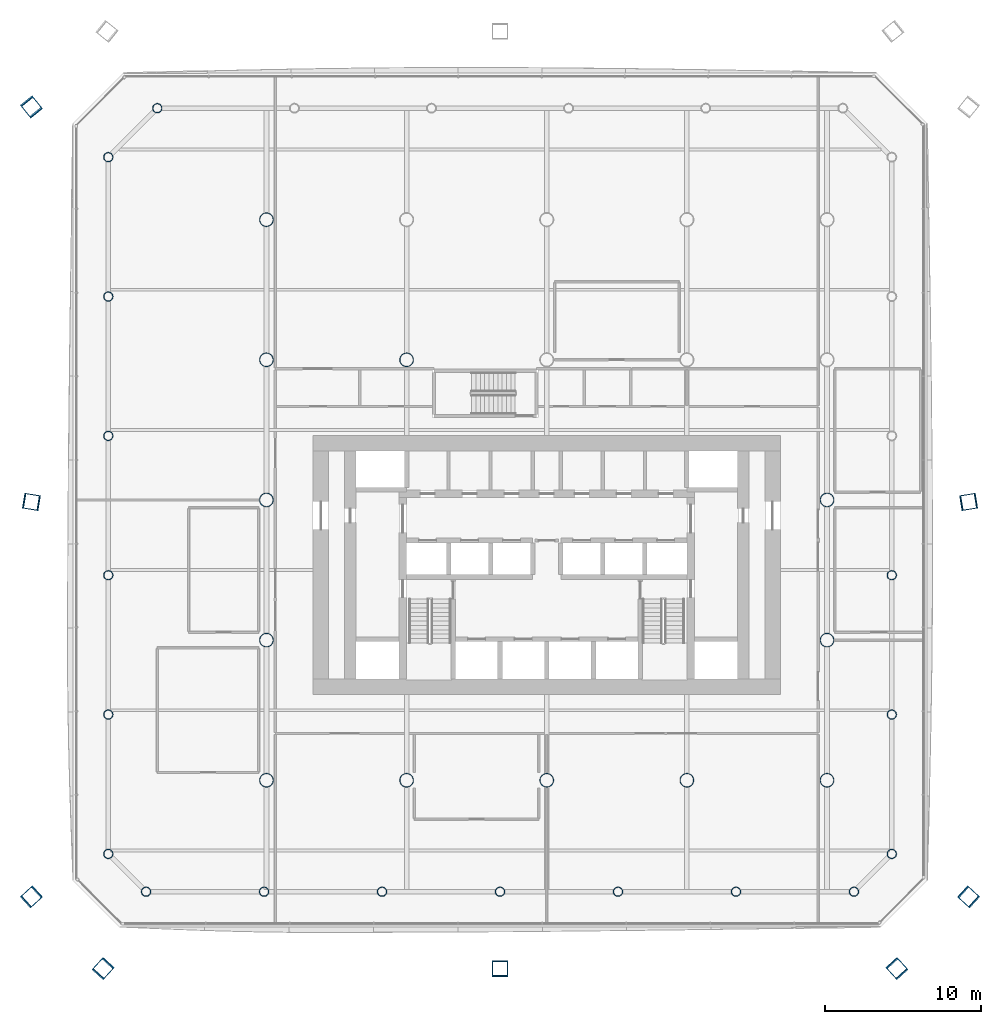
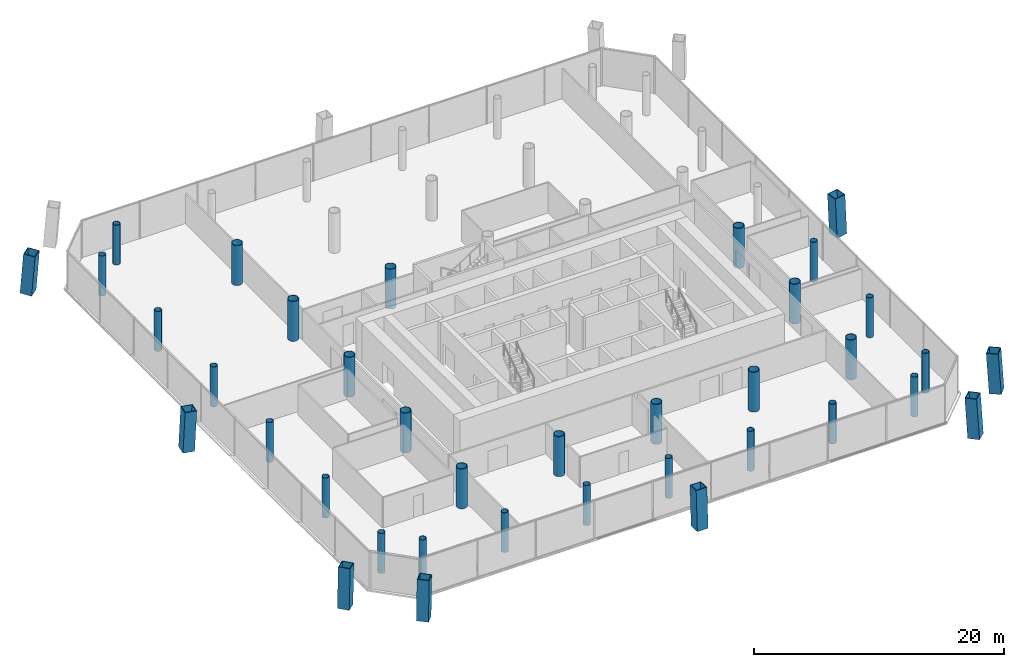
# One storey, part 1 of 22: 37 columns.
"""IFC4 building model written with IfcOpenShell, lengths in metres."""

from ifc_helpers import new_model, si_unit, direction, frame, origin, origin_2d, place, context, subcontext, project, spatial, hollow_rectangle, hollow_circle, extrude, material, material_profile, profile_set, type_object, element, save


model = new_model("IFC4")

# Units and contexts
model_context = context("Model", 3, precision=1e-05, world=origin(), true_north=direction((0.0, 1.0)))
body_context = subcontext(model_context, "Body", "Model", "MODEL_VIEW")
ifc_project = project(units=[si_unit("LENGTHUNIT", "METRE"), si_unit("AREAUNIT", "SQUARE_METRE"), si_unit("VOLUMEUNIT", "CUBIC_METRE"), si_unit("PLANEANGLEUNIT", "RADIAN"), si_unit("MASSUNIT", "GRAM", prefix="KILO")], contexts=[model_context])

# Site, building, storey
site_placement = place(None, origin())
site = spatial("IfcSite", under=ifc_project, at=site_placement, CompositionType="ELEMENT")
building_placement = place(site_placement, origin())
building = spatial("IfcBuilding", under=site, at=building_placement, Name="Tskaro Facet Tower", CompositionType="ELEMENT")
storey_placement = place(building_placement, frame((0.0, 0.0, 26.39990234375)))
storey = spatial("IfcBuildingStorey", under=building, at=storey_placement, Name="L05", CompositionType="ELEMENT", Elevation=26.39990234375)

# Columns
ifc_material_1 = material(Name="Steel S460M", Category="steel")
ifc_material_profile_1 = material_profile(ifc_material_1, hollow_rectangle(XDim=1.0, YDim=1.0, WallThickness=0.06005859375, at=origin_2d()), Name="BOX 1000x1000x60")
ifc_profile_set_1 = profile_set([ifc_material_profile_1], Name="Steel S460M")
column_type_1 = type_object("IfcColumnType", Name="BOX 1000x1000x60 mega column", PredefinedType="COLUMN", material=ifc_profile_set_1)
column_1_placement = place(storey_placement, frame((-28.513916015625, -30.1201171875, 0.0), z_axis=(0.04273072703, 0.046853867357, 0.99798737471), x_axis=(-0.738869281565, 0.673848784787, 0.0)))
element("IfcColumn", 1, at=column_1_placement, inside=storey, type_object=column_type_1, Name="BOX 1000x1000x60 MC01/1", PredefinedType="COLUMN", context=body_context, shape_type="SweptSolid", body=[
    extrude(hollow_rectangle(XDim=1.0, YDim=1.0, WallThickness=0.06005859375, at=origin_2d()), origin(), (0.0, 0.0, 1.0), 3.907958984375),
])
column_2_placement = place(storey_placement, frame((-3.0, -30.1201171875, 0.0), z_axis=(0.0, 0.046896701615, 0.998899744408), x_axis=(-1.0, 0.0, 0.0)))
element("IfcColumn", 2, at=column_2_placement, inside=storey, type_object=column_type_1, Name="BOX 1000x1000x60 MC02/1", PredefinedType="COLUMN", context=body_context, shape_type="SweptSolid", body=[
    extrude(hollow_rectangle(XDim=1.0, YDim=1.0, WallThickness=0.06005859375, at=origin_2d()), origin(), (0.0, 0.0, 1.0), 3.904541015625),
])
for number, where, z_axis, x_axis, name in (
    (3, (22.513916015625, -30.1201171875, 0.0), (-0.04273072703, 0.046853867357, 0.99798737471), (-0.738869281565, -0.673848784787, 0.0), "BOX 1000x1000x60 MC03/1"),
    (4, (27.1201171875, -25.513916015625, 0.0), (-0.046853867357, 0.04273072703, 0.99798737471), (-0.673848784787, -0.738869281565, 0.0), "BOX 1000x1000x60 MC04/1"),
):
    element("IfcColumn", number, at=place(storey_placement, frame(where, z_axis=z_axis, x_axis=x_axis)), inside=storey, type_object=column_type_1, Name=name, PredefinedType="COLUMN", context=body_context, shape_type="SweptSolid", body=[
        extrude(hollow_rectangle(XDim=1.0, YDim=1.0, WallThickness=0.06005859375, at=origin_2d()), origin(), (0.0, 0.0, 1.0), 3.907958984375),
    ])
column_3_placement = place(storey_placement, frame((27.1201171875, -0.1201171875, 0.0), z_axis=(-0.046895337111, -0.00762830817, 0.998870680455), x_axis=(0.160556339519, -0.98702667737, 0.0)))
element("IfcColumn", 5, at=column_3_placement, inside=storey, type_object=column_type_1, Name="BOX 1000x1000x60 MC05/1", PredefinedType="COLUMN", context=body_context, shape_type="SweptSolid", body=[
    extrude(hollow_rectangle(XDim=1.0, YDim=1.0, WallThickness=0.06005859375, at=origin_2d()), origin(), (0.0, 0.0, 1.0), 3.904541015625),
])
column_4_placement = place(storey_placement, frame((-33.1201171875, 25.27490234375, 0.0), z_axis=(0.046817777742, -0.057991620696, 0.997218665898), x_axis=(0.778082876381, 0.628161633246, 0.0)))
element("IfcColumn", 6, at=column_4_placement, inside=storey, type_object=column_type_1, Name="BOX 1000x1000x60 MC10/1", PredefinedType="COLUMN", context=body_context, shape_type="SweptSolid", body=[
    extrude(hollow_rectangle(XDim=1.0, YDim=1.0, WallThickness=0.06005859375, at=origin_2d()), origin(), (0.0, 0.0, 1.0), 3.9111328125),
])
column_5_placement = place(storey_placement, frame((-33.1201171875, -0.1201171875, 0.0), z_axis=(0.046895337111, -0.00762830817, 0.998870680455), x_axis=(0.160556339519, 0.98702667737, 0.0)))
element("IfcColumn", 7, at=column_5_placement, inside=storey, type_object=column_type_1, Name="BOX 1000x1000x60 MC11/1", PredefinedType="COLUMN", context=body_context, shape_type="SweptSolid", body=[
    extrude(hollow_rectangle(XDim=1.0, YDim=1.0, WallThickness=0.06005859375, at=origin_2d()), origin(), (0.0, 0.0, 1.0), 3.904541015625),
])
column_6_placement = place(storey_placement, frame((-33.1201171875, -25.513916015625, 0.0), z_axis=(0.046853867357, 0.04273072703, 0.99798737471), x_axis=(-0.673848784787, 0.738869281565, 0.0)))
element("IfcColumn", 8, at=column_6_placement, inside=storey, type_object=column_type_1, Name="BOX 1000x1000x60 MC12/1", PredefinedType="COLUMN", context=body_context, shape_type="SweptSolid", body=[
    extrude(hollow_rectangle(XDim=1.0, YDim=1.0, WallThickness=0.06005859375, at=origin_2d()), origin(), (0.0, 0.0, 1.0), 3.907958984375),
])
ifc_material_2 = material(Name="Steel S355J2H", Category="steel")
ifc_material_profile_2 = material_profile(ifc_material_2, hollow_circle(Radius=0.304931640625, WallThickness=0.030029296875, at=origin_2d()), Name="CHS 610x30")
ifc_profile_set_2 = profile_set([ifc_material_profile_2], Name="Steel S355J2H")
column_type_2 = type_object("IfcColumnType", Name="CHS 610x30 ring column", PredefinedType="COLUMN", material=ifc_profile_set_2)
for number, where, z_axis, x_axis, name in (
    (9, (-25.72900390625, -25.156982421875, 0.0), (0.0, 0.0, 1.0), (1.0, 0.0, 0.0), "CHS 610x30 RS-1/1"),
    (10, (-18.153076171875, -25.156982421875, 0.0), (0.0, 0.0, 1.0), (1.0, 0.0, 0.0), "CHS 610x30 RS-2/1"),
    (11, (-10.575927734375, -25.156982421875, 0.0), (0.0, 0.0, 1.0), (1.0, 0.0, 0.0), "CHS 610x30 RS-3/1"),
    (12, (-3.0, -25.156982421875, 0.0), (0.0, 0.0, 1.0), (1.0, 0.0, 0.0), "CHS 610x30 RS-4/1"),
    (13, (4.575927734375, -25.156982421875, 0.0), (0.0, 0.0, 1.0), (1.0, 0.0, 0.0), "CHS 610x30 RS-5/1"),
    (14, (12.153076171875, -25.156982421875, 0.0), (0.0, 0.0, 1.0), (1.0, 0.0, 0.0), "CHS 610x30 RS-6/1"),
    (15, (19.72900390625, -25.156982421875, 0.0), (0.0, 0.0, 1.0), (1.0, 0.0, 0.0), "CHS 610x30 RSE-1/1"),
    (16, (22.156982421875, -22.72900390625, 0.0), (0.0, 0.0, 1.0), (1.0, 0.0, 0.0), "CHS 610x30 RE-1/1"),
    (17, (22.156982421875, -13.781005859375, 0.0), (0.0, 0.0, 1.0), (1.0, 0.0, 0.0), "CHS 610x30 RE-2/1"),
    (18, (22.156982421875, -4.8330078125, 0.0), (0.0, 0.0, 1.0), (1.0, 0.0, 0.0), "CHS 610x30 RE-3/1"),
    (19, (-25.011962890625, 25.156982421875, 0.0), (0.0, 0.0, 1.0), (1.0, 0.0, 0.0), "CHS 610x30 RNW-1/1"),
    (20, (-28.156982421875, 22.011962890625, 0.0), (0.0, 0.0, 1.0), (1.0, 0.0, 0.0), "CHS 610x30 RW-1/1"),
    (21, (-28.156982421875, 13.06396484375, 0.0), (0.0, 0.0, 1.0), (1.0, 0.0, 0.0), "CHS 610x30 RW-2/1"),
    (22, (-28.156982421875, 4.115966796875, 0.0), (0.0, 0.0, 1.0), (1.0, 0.0, 0.0), "CHS 610x30 RW-3/1"),
    (23, (-28.156982421875, -4.8330078125, 0.0), (0.0, 0.0, 1.0), (1.0, 0.0, 0.0), "CHS 610x30 RW-4/1"),
    (24, (-28.156982421875, -13.781005859375, 0.0), (0.0, 0.0, 1.0), (1.0, 0.0, 0.0), "CHS 610x30 RW-5/1"),
    (25, (-28.156982421875, -22.72900390625, 0.0), (0.0, 0.0, 1.0), (1.0, 0.0, 0.0), "CHS 610x30 RSW-1/1"),
):
    element("IfcColumn", number, at=place(storey_placement, frame(where, z_axis=z_axis, x_axis=x_axis)), inside=storey, type_object=column_type_2, Name=name, PredefinedType="COLUMN", context=body_context, shape_type="SweptSolid", body=[
        extrude(hollow_circle(Radius=0.304931640625, WallThickness=0.030029296875, at=origin_2d()), origin(), (0.0, 0.0, 1.0), 3.900146484375),
    ])
ifc_material_profile_3 = material_profile(ifc_material_2, hollow_circle(Radius=0.457275390625, WallThickness=0.050048828125, at=origin_2d()), Name="CHS 914.4x50")
ifc_profile_set_3 = profile_set([ifc_material_profile_3], Name="Steel S355J2H")
column_type_3 = type_object("IfcColumnType", Name="CHS 914.4x50 interior column", PredefinedType="COLUMN", material=ifc_profile_set_3)
for number, where, z_axis, x_axis, name in (
    (26, (-18.0, -18.0, 0.0), (0.0, 0.0, 1.0), (1.0, 0.0, 0.0), "CHS 914.4x50 C2B/1"),
    (27, (-18.0, -9.0, 0.0), (0.0, 0.0, 1.0), (1.0, 0.0, 0.0), "CHS 914.4x50 C2C/1"),
    (28, (-18.0, 0.0, 0.0), (0.0, 0.0, 1.0), (1.0, 0.0, 0.0), "CHS 914.4x50 C2D/1"),
    (29, (-18.0, 9.0, 0.0), (0.0, 0.0, 1.0), (1.0, 0.0, 0.0), "CHS 914.4x50 C2E/1"),
    (30, (-18.0, 18.0, 0.0), (0.0, 0.0, 1.0), (1.0, 0.0, 0.0), "CHS 914.4x50 C2F/1"),
    (31, (-9.0, -18.0, 0.0), (0.0, 0.0, 1.0), (1.0, 0.0, 0.0), "CHS 914.4x50 C3B/1"),
    (32, (-9.0, 9.0, 0.0), (0.0, 0.0, 1.0), (1.0, 0.0, 0.0), "CHS 914.4x50 C3E/1"),
    (33, (0.0, -18.0, 0.0), (0.0, 0.0, 1.0), (1.0, 0.0, 0.0), "CHS 914.4x50 C4B/1"),
    (34, (9.0, -18.0, 0.0), (0.0, 0.0, 1.0), (1.0, 0.0, 0.0), "CHS 914.4x50 C5B/1"),
    (35, (18.0, -18.0, 0.0), (0.0, 0.0, 1.0), (1.0, 0.0, 0.0), "CHS 914.4x50 C6B/1"),
    (36, (18.0, -9.0, 0.0), (0.0, 0.0, 1.0), (1.0, 0.0, 0.0), "CHS 914.4x50 C6C/1"),
    (37, (18.0, 0.0, 0.0), (0.0, 0.0, 1.0), (1.0, 0.0, 0.0), "CHS 914.4x50 C6D/1"),
):
    element("IfcColumn", number, at=place(storey_placement, frame(where, z_axis=z_axis, x_axis=x_axis)), inside=storey, type_object=column_type_3, Name=name, PredefinedType="COLUMN", context=body_context, shape_type="SweptSolid", body=[
        extrude(hollow_circle(Radius=0.457275390625, WallThickness=0.050048828125, at=origin_2d()), origin(), (0.0, 0.0, 1.0), 3.900146484375),
    ])

save(model, "model.ifc")
